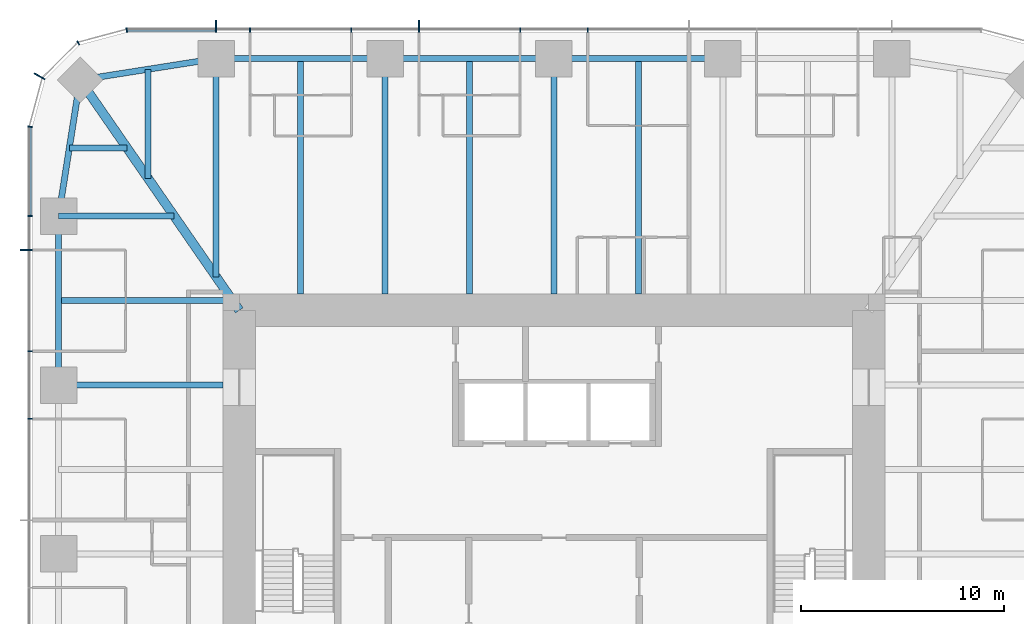
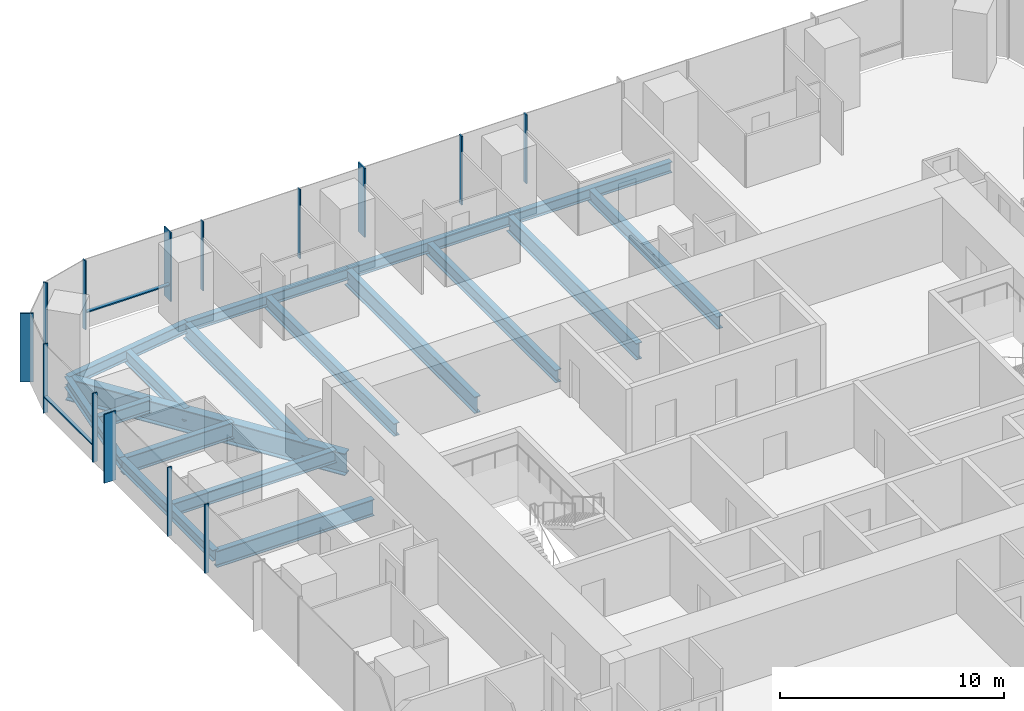
# One storey, part 5 of 13: 18 beams, 16 members, 3 elements without a shape of their own.
"""IFC4 building model written with IfcOpenShell, lengths in metres."""

import ifcopenshell
import ifcopenshell.guid

model = None  # the IFC model being written
_history = None  # IfcOwnerHistory: only IFC2X3 demands one
_inside = {}  # id of a spatial element -> (the spatial element, [elements in it])
_under = {}  # id of a project, library or spatial element -> (it, [spatial elements below it])
_declared = {}  # id of a project -> (the project, [libraries it declares])
_typed = {}  # id of a type object -> (the type object, [elements of that type])
_made_of = {}  # id of a material, layer set ... -> (it, [elements and type objects made of it])


def new_model(schema):
    """Start an empty IFC model of exactly this schema.

    Asked for "IFC4X3", IfcOpenShell would pick the latest addendum, in which some entities
    have other attributes; the version numbers below select the first issue.
    IFC2X3 requires an IfcOwnerHistory on every rooted entity: one is made here for all.
    """
    global model, _history
    if schema == "IFC4X3":
        model = ifcopenshell.file(schema_version=(4, 3, 0, 0))
    else:
        model = ifcopenshell.file(schema=schema)
    _inside.clear()
    _under.clear()
    _declared.clear()
    _typed.clear()
    _made_of.clear()
    _history = None
    if model.schema == "IFC2X3":
        org = make("IfcOrganization", Name="unknown")
        user = make(
            "IfcPersonAndOrganization",
            ThePerson=make("IfcPerson", FamilyName="unknown"),
            TheOrganization=org,
        )
        app = make(
            "IfcApplication",
            ApplicationDeveloper=org,
            Version="unknown",
            ApplicationFullName="unknown",
            ApplicationIdentifier="unknown",
        )
        _history = make(
            "IfcOwnerHistory",
            OwningUser=user,
            OwningApplication=app,
            ChangeAction="ADDED",
            CreationDate=0,
        )
    return model


def make(cls, **values):
    """One entity of the class cls with the attributes given. An attribute that is None is left unset."""
    return model.create_entity(
        cls, **{name: value for name, value in values.items() if value is not None}
    )


def rooted(cls, **values):
    """An entity with a GlobalId (a new one), such as an element, a storey or a relation."""
    return make(cls, GlobalId=ifcopenshell.guid.new(), OwnerHistory=_history, **values)


def si_unit(unit_type, name, prefix=None):
    """IfcSIUnit, for example si_unit("LENGTHUNIT", "METRE", prefix="MILLI")."""
    return make("IfcSIUnit", UnitType=unit_type, Prefix=prefix, Name=name)


def assignment(units):
    """IfcUnitAssignment: the units of a project."""
    return None if units is None else make("IfcUnitAssignment", Units=units)


def point(xyz):
    """IfcCartesianPoint."""
    return None if xyz is None else make("IfcCartesianPoint", Coordinates=xyz)


def direction(xyz):
    """IfcDirection."""
    return None if xyz is None else make("IfcDirection", DirectionRatios=xyz)


def frame(location, z_axis=None, x_axis=None):
    """IfcAxis2Placement3D, a coordinate frame: its origin and axes. An axis left out is left unset."""
    return make(
        "IfcAxis2Placement3D",
        Location=point(location),
        Axis=direction(z_axis),
        RefDirection=direction(x_axis),
    )


def frame_2d(location, x_axis=None):
    """IfcAxis2Placement2D, a coordinate frame in the plane: its origin and x axis."""
    return make(
        "IfcAxis2Placement2D", Location=point(location), RefDirection=direction(x_axis)
    )


def origin():
    """The frame at (0, 0, 0) with its axes left unset."""
    return frame((0.0, 0.0, 0.0))


def origin_2d():
    """The frame at (0, 0) in the plane with its x axis left unset."""
    return frame_2d((0.0, 0.0))


def place(relative_to, where):
    """IfcLocalPlacement: puts the frame where relative to a parent placement (None: the world)."""
    return make(
        "IfcLocalPlacement", PlacementRelTo=relative_to, RelativePlacement=where
    )


def context(
    kind, dimensions, precision=None, world=None, true_north=None, identifier=None
):
    """IfcGeometricRepresentationContext, for example the 3D "Model" context."""
    return make(
        "IfcGeometricRepresentationContext",
        ContextIdentifier=identifier,
        ContextType=kind,
        CoordinateSpaceDimension=dimensions,
        Precision=precision,
        WorldCoordinateSystem=world,
        TrueNorth=true_north,
    )


def subcontext(parent, identifier, kind, view, scale=None):
    """IfcGeometricRepresentationSubContext, for example "Body" below "Model"."""
    return make(
        "IfcGeometricRepresentationSubContext",
        ContextIdentifier=identifier,
        ContextType=kind,
        ParentContext=parent,
        TargetScale=scale,
        TargetView=view,
    )


def project(units=None, contexts=None):
    """IfcProject with its units and contexts."""
    return rooted(
        "IfcProject",
        Name="project",
        RepresentationContexts=contexts,
        UnitsInContext=assignment(units),
    )


def spatial(cls, under=None, at=None, **own):
    """A site, building, storey or space (cls), placed at a placement, below another one or the project."""
    s = rooted(cls, ObjectPlacement=at, **own)
    if under is not None:
        _under.setdefault(under.id(), (under, []))[1].append(s)
    return s


def profile(cls, at=None, kind="AREA", **sizes):
    """A parametric profile (cls). Its sizes go by their IFC names, for example OverallWidth=200.0."""
    return make(cls, ProfileType=kind, Position=at, **sizes)


def rectangle(**sizes):
    """IfcRectangleProfileDef."""
    return profile("IfcRectangleProfileDef", **sizes)


def i_section(**sizes):
    """IfcIShapeProfileDef."""
    return profile("IfcIShapeProfileDef", **sizes)


def extrude(swept, where, along, depth):
    """IfcExtrudedAreaSolid: the profile swept, set in the frame where, extruded along a direction by depth."""
    return make(
        "IfcExtrudedAreaSolid",
        SweptArea=swept,
        Position=where,
        ExtrudedDirection=direction(along),
        Depth=depth,
    )


def shape(context_of_items, identifier, shape_type, items):
    """IfcShapeRepresentation: the items that make up one representation, for example the "Body"."""
    return make(
        "IfcShapeRepresentation",
        ContextOfItems=context_of_items,
        RepresentationIdentifier=identifier,
        RepresentationType=shape_type,
        Items=items,
    )


def material(Name=None, Category=None):
    """IfcMaterial."""
    return make("IfcMaterial", Name=Name, Category=Category)


def material_profile(
    of_material, cross_section, Name=None, Category=None, Priority=None
):
    """IfcMaterialProfile: a cross section and its material."""
    return make(
        "IfcMaterialProfile",
        Name=Name,
        Material=of_material,
        Profile=cross_section,
        Priority=Priority,
        Category=Category,
    )


def profile_set(profiles, Name=None, composite=None):
    """IfcMaterialProfileSet."""
    return make(
        "IfcMaterialProfileSet",
        Name=Name,
        MaterialProfiles=profiles,
        CompositeProfile=composite,
    )


def made_of(thing, what):
    """Note that an element or type object is made of a material, layer set ...; save() writes the relation."""
    if what is not None:
        _made_of.setdefault(what.id(), (what, []))[1].append(thing)
    return thing


def type_object(cls, material=None, **own):
    """A type object (cls), such as IfcWallType, which elements share."""
    return made_of(rooted(cls, **own), material)


def element(
    cls,
    number,
    at=None,
    inside=None,
    cuts=None,
    type_object=None,
    material=None,
    context=None,
    identifier="Body",
    shape_type=None,
    held_by="IfcProductDefinitionShape",
    body=None,
    shapes=None,
    **own,
):
    """One element of the class cls, such as IfcWall. Its Tag is "e" and its number.

    at: its placement. inside: the storey or other place that contains it. cuts: it is an
    opening in that element (IfcRelVoidsElement). A single representation is given by context,
    identifier, shape_type and body (its items); several are given by shapes. held_by: the class
    of the entity that holds the representations. save() writes the other relations.
    """
    e = rooted(cls, Tag="e%d" % number, ObjectPlacement=at, **own)
    if body is not None:
        shapes = [shape(context, identifier, shape_type, body)]
    if shapes is not None:
        e.Representation = make(held_by, Representations=shapes)
    if inside is not None:
        _inside.setdefault(inside.id(), (inside, []))[1].append(e)
    if cuts is not None:
        rooted(
            "IfcRelVoidsElement", RelatingBuildingElement=cuts, RelatedOpeningElement=e
        )
    if type_object is not None:
        _typed.setdefault(type_object.id(), (type_object, []))[1].append(e)
    return made_of(e, material)


def aggregate(whole, parts):
    """IfcRelAggregates: a whole, such as a stair, and the parts it consists of."""
    return rooted("IfcRelAggregates", RelatingObject=whole, RelatedObjects=parts)


def save(model, path):
    """Write the relations noted so far, then the file.

    IfcRelAggregates (storeys below a building ...), IfcRelContainedInSpatialStructure (elements
    in a storey), IfcRelDefinesByType, IfcRelAssociatesMaterial and IfcRelDeclares: one each for
    every whole, place, type object, material and project.
    """
    for whole, parts in _under.values():
        aggregate(whole, parts)
    for where, things in _inside.values():
        rooted(
            "IfcRelContainedInSpatialStructure",
            RelatedElements=things,
            RelatingStructure=where,
        )
    for kind, things in _typed.values():
        rooted("IfcRelDefinesByType", RelatedObjects=things, RelatingType=kind)
    for what, things in _made_of.values():
        rooted("IfcRelAssociatesMaterial", RelatedObjects=things, RelatingMaterial=what)
    for by, libraries in _declared.values():
        rooted("IfcRelDeclares", RelatingContext=by, RelatedDefinitions=libraries)
    model.write(path)


model = new_model("IFC4")

# Units and contexts
model_context = context("Model", 3, precision=1e-05, world=origin(), true_north=direction((0.0, 1.0)))
body_context = subcontext(model_context, "Body", "Model", "MODEL_VIEW")
ifc_project = project(units=[si_unit("LENGTHUNIT", "METRE"), si_unit("AREAUNIT", "SQUARE_METRE"), si_unit("VOLUMEUNIT", "CUBIC_METRE"), si_unit("PLANEANGLEUNIT", "RADIAN"), si_unit("MASSUNIT", "GRAM", prefix="KILO")], contexts=[model_context])

# Site, building, storey
site_placement = place(None, origin())
site = spatial("IfcSite", under=ifc_project, at=site_placement, CompositionType="ELEMENT")
building_placement = place(site_placement, origin())
building = spatial("IfcBuilding", under=site, at=building_placement, Name="Khuree Lantern Residences", CompositionType="ELEMENT")
storey_placement = place(building_placement, frame((0.0, 0.0, 252.0)))
storey = spatial("IfcBuildingStorey", under=building, at=storey_placement, Name="L63", CompositionType="ELEMENT", Elevation=252.0)

# Beams
ifc_material_1 = material(Name="Steel S355", Category="steel")
ifc_material_profile_1 = material_profile(ifc_material_1, i_section(OverallWidth=0.300048828125, OverallDepth=0.68994140625, WebThickness=0.014404296875, FlangeThickness=0.027099609375, FilletRadius=0.027099609375, at=origin_2d()), Name="HE 700 A")
ifc_profile_set_1 = profile_set([ifc_material_profile_1], Name="Steel S355")
beam_type_1 = type_object("IfcBeamType", Name="B-34 SECONDARY BEAM HE 700 A", PredefinedType="BEAM", material=ifc_profile_set_1)
for number, where, z_axis, x_axis, name in (
    (1, (-12.47998046875, 24.39990234375, -0.594970703125), (0.0, -1.0, 0.0), (1.0, 0.0, 0.0), "Secondary beam N1"),
    (2, (-4.159912109375, 24.39990234375, -0.594970703125), (0.0, -1.0, 0.0), (1.0, 0.0, 0.0), "Secondary beam N2"),
    (3, (4.159912109375, 24.39990234375, -0.594970703125), (0.0, -1.0, 0.0), (1.0, 0.0, 0.0), "Secondary beam N3"),
):
    element("IfcBeam", number, at=place(storey_placement, frame(where, z_axis=z_axis, x_axis=x_axis)), inside=storey, type_object=beam_type_1, Name=name, PredefinedType="BEAM", context=body_context, shape_type="SweptSolid", body=[
        extrude(i_section(OverallWidth=0.300048828125, OverallDepth=0.68994140625, WebThickness=0.014404296875, FlangeThickness=0.027099609375, FilletRadius=0.027099609375, at=origin_2d()), origin(), (0.0, 0.0, 1.0), 11.599853515625),
    ])
beam_1_placement = place(storey_placement, frame((-24.39990234375, 12.47998046875, -0.594970703125), z_axis=(1.0, 0.0, 0.0), x_axis=(0.0, 1.0, 0.0)))
element("IfcBeam", 4, at=beam_1_placement, inside=storey, type_object=beam_type_1, Name="Secondary beam W5", PredefinedType="BEAM", context=body_context, shape_type="SweptSolid", body=[
    extrude(i_section(OverallWidth=0.300048828125, OverallDepth=0.68994140625, WebThickness=0.014404296875, FlangeThickness=0.027099609375, FilletRadius=0.027099609375, at=origin_2d()), origin(), (0.0, 0.0, 1.0), 8.56787109375),
])
beam_2_placement = place(storey_placement, frame((-23.872802734375, 19.992919921875, -0.594970703125), z_axis=(1.0, 0.0, 0.0), x_axis=(0.0, 1.0, 0.0)))
element("IfcBeam", 5, at=beam_2_placement, inside=storey, type_object=beam_type_1, Name="Secondary beam W6", PredefinedType="BEAM", context=body_context, shape_type="SweptSolid", body=[
    extrude(i_section(OverallWidth=0.300048828125, OverallDepth=0.68994140625, WebThickness=0.014404296875, FlangeThickness=0.027099609375, FilletRadius=0.027099609375, at=origin_2d()), origin(), (0.0, 0.0, 1.0), 2.845703125),
])
beam_3_placement = place(storey_placement, frame((-19.992919921875, 23.872802734375, -0.594970703125), z_axis=(0.0, -1.0, 0.0), x_axis=(1.0, 0.0, 0.0)))
element("IfcBeam", 6, at=beam_3_placement, inside=storey, type_object=beam_type_1, Name="Secondary beam N6", PredefinedType="BEAM", context=body_context, shape_type="SweptSolid", body=[
    extrude(i_section(OverallWidth=0.300048828125, OverallDepth=0.68994140625, WebThickness=0.014404296875, FlangeThickness=0.027099609375, FilletRadius=0.027099609375, at=origin_2d()), origin(), (0.0, 0.0, 1.0), 5.375732421875),
])
ifc_material_profile_2 = material_profile(ifc_material_1, i_section(OverallWidth=0.300048828125, OverallDepth=0.590087890625, WebThickness=0.012939453125, FlangeThickness=0.02490234375, FilletRadius=0.027099609375, at=origin_2d()), Name="HE 600 A")
ifc_profile_set_2 = profile_set([ifc_material_profile_2], Name="Steel S355")
beam_type_2 = type_object("IfcBeamType", Name="E-34 SPANDREL BEAM HE 600 A", PredefinedType="SPANDREL", material=ifc_profile_set_2)
beam_4_placement = place(storey_placement, frame((-16.639892578125, 24.39990234375, -0.544921875), z_axis=(1.0, 0.0, 0.0), x_axis=(0.0, 1.0, 0.0)))
element("IfcBeam", 7, at=beam_4_placement, inside=storey, type_object=beam_type_2, Name="Spandrel beam N1", PredefinedType="SPANDREL", context=body_context, shape_type="SweptSolid", body=[
    extrude(i_section(OverallWidth=0.300048828125, OverallDepth=0.590087890625, WebThickness=0.012939453125, FlangeThickness=0.02490234375, FilletRadius=0.027099609375, at=origin_2d()), origin(), (0.0, 0.0, 1.0), 8.31982421875),
])
for number, where, z_axis, x_axis, name in (
    (8, (-8.320068359375, 24.39990234375, -0.544921875), (1.0, 0.0, 0.0), (0.0, 1.0, 0.0), "Spandrel beam N2"),
    (9, (0.0, 24.39990234375, -0.544921875), (1.0, 0.0, 0.0), (0.0, 1.0, 0.0), "Spandrel beam N3"),
):
    element("IfcBeam", number, at=place(storey_placement, frame(where, z_axis=z_axis, x_axis=x_axis)), inside=storey, type_object=beam_type_2, Name=name, PredefinedType="SPANDREL", context=body_context, shape_type="SweptSolid", body=[
        extrude(i_section(OverallWidth=0.300048828125, OverallDepth=0.590087890625, WebThickness=0.012939453125, FlangeThickness=0.02490234375, FilletRadius=0.027099609375, at=origin_2d()), origin(), (0.0, 0.0, 1.0), 8.320068359375),
    ])
beam_5_placement = place(storey_placement, frame((-24.39990234375, 8.320068359375, -0.544921875), z_axis=(0.0, 1.0, 0.0), x_axis=(-1.0, 0.0, 0.0)))
element("IfcBeam", 10, at=beam_5_placement, inside=storey, type_object=beam_type_2, Name="Spandrel beam W5", PredefinedType="SPANDREL", context=body_context, shape_type="SweptSolid", body=[
    extrude(i_section(OverallWidth=0.300048828125, OverallDepth=0.590087890625, WebThickness=0.012939453125, FlangeThickness=0.02490234375, FilletRadius=0.027099609375, at=origin_2d()), origin(), (0.0, 0.0, 1.0), 8.31982421875),
])
for number, where, z_axis, x_axis, name in (
    (11, (-24.39990234375, 16.639892578125, -0.544921875), (0.155299507442, 0.98786743189, 0.0), (-0.98786743189, 0.155299507442, 0.0), "Spandrel beam W6"),
    (12, (-23.345703125, 23.345703125, -0.544921875), (0.98786743189, 0.155299507442, 0.0), (-0.155299507442, 0.98786743189, 0.0), "Spandrel beam N6"),
):
    element("IfcBeam", number, at=place(storey_placement, frame(where, z_axis=z_axis, x_axis=x_axis)), inside=storey, type_object=beam_type_2, Name=name, PredefinedType="SPANDREL", context=body_context, shape_type="SweptSolid", body=[
        extrude(i_section(OverallWidth=0.300048828125, OverallDepth=0.590087890625, WebThickness=0.012939453125, FlangeThickness=0.02490234375, FilletRadius=0.027099609375, at=origin_2d()), origin(), (0.0, 0.0, 1.0), 6.7880859375),
    ])

# Curtain wall, members
ifc_material_2 = material(Name="Bronze anodised aluminium", Category="aluminium")
curtain_wall_type_1 = type_object("IfcCurtainWallType", Name="CW-T1 TOWER FACE CURTAIN WALL", PredefinedType="USERDEFINED", material=ifc_material_2)
curtain_wall_1_placement = place(storey_placement, origin())
curtain_wall_1 = element("IfcCurtainWall", 13, at=curtain_wall_1_placement, inside=storey, type_object=curtain_wall_type_1, Name="L63 NORTH FACE CURTAIN WALL", ObjectType="Stick-built curtain wall", PredefinedType="USERDEFINED")
ifc_material_profile_3 = material_profile(ifc_material_2, rectangle(XDim=0.06494140625, YDim=0.60009765625, at=origin_2d()), Name="F1 65X600")
ifc_profile_set_3 = profile_set([ifc_material_profile_3], Name="Bronze anodised aluminium")
member_type_1 = type_object("IfcMemberType", Name="F1 BRONZE FIN MULLION TOWER 65X600", PredefinedType="MULLION", material=ifc_profile_set_3)
member_1_placement = place(storey_placement, frame((-6.656005859375, 26.0, 0.0), z_axis=(0.0, 0.0, 1.0), x_axis=(-1.0, 0.0, 0.0)))
member_1 = element("IfcMember", 14, at=member_1_placement, type_object=member_type_1, Name="L63 NORTH FACE FIN MULLION 25", PredefinedType="MULLION", context=body_context, shape_type="SweptSolid", body=[
    extrude(rectangle(XDim=0.06494140625, YDim=0.60009765625, at=origin_2d()), origin(), (0.0, 0.0, 1.0), 3.75),
])
member_2_placement = place(storey_placement, frame((-16.639892578125, 26.0, 0.0), z_axis=(0.0, 0.0, 1.0), x_axis=(-1.0, 0.0, 0.0)))
member_2 = element("IfcMember", 15, at=member_2_placement, type_object=member_type_1, Name="L63 NORTH FACE FIN MULLION 28", PredefinedType="MULLION", context=body_context, shape_type="SweptSolid", body=[
    extrude(rectangle(XDim=0.06494140625, YDim=0.60009765625, at=origin_2d()), origin(), (0.0, 0.0, 1.0), 3.75),
])

# Curtain wall, member
curtain_wall_type_2 = type_object("IfcCurtainWallType", Name="CW-T2 TOWER CORNER CURTAIN WALL", PredefinedType="USERDEFINED", material=ifc_material_2)
curtain_wall_2_placement = place(storey_placement, origin())
curtain_wall_2 = element("IfcCurtainWall", 16, at=curtain_wall_2_placement, inside=storey, type_object=curtain_wall_type_2, Name="L63 NORTH-WEST CORNER CURTAIN WALL", ObjectType="Faceted corner curtain wall", PredefinedType="USERDEFINED")
member_3_placement = place(storey_placement, frame((-25.3369140625, 23.52490234375, 0.0), z_axis=(0.0, 0.0, 1.0), x_axis=(-0.499999989586, -0.866025409797, 0.0)))
member_3 = element("IfcMember", 17, at=member_3_placement, type_object=member_type_1, Name="L63 NORTH-WEST CORNER FIN MULLION 31", PredefinedType="MULLION", context=body_context, shape_type="SweptSolid", body=[
    extrude(rectangle(XDim=0.06494140625, YDim=0.60009765625, at=origin_2d()), origin(), (0.0, 0.0, 1.0), 3.75),
])

curtain_wall_3_placement = place(storey_placement, origin())
curtain_wall_3 = element("IfcCurtainWall", 18, at=curtain_wall_3_placement, inside=storey, type_object=curtain_wall_type_1, Name="L63 WEST FACE CURTAIN WALL", ObjectType="Stick-built curtain wall", PredefinedType="USERDEFINED")
member_4_placement = place(storey_placement, frame((-26.0, 14.97607421875, 0.0), z_axis=(0.0, 0.0, 1.0), x_axis=(0.0, -1.0, 0.0)))
member_4 = element("IfcMember", 19, at=member_4_placement, type_object=member_type_1, Name="L63 WEST FACE FIN MULLION 34", PredefinedType="MULLION", context=body_context, shape_type="SweptSolid", body=[
    extrude(rectangle(XDim=0.06494140625, YDim=0.60009765625, at=origin_2d()), origin(), (0.0, 0.0, 1.0), 3.75),
])

# Beams
ifc_material_profile_4 = material_profile(ifc_material_1, i_section(OverallWidth=0.300048828125, OverallDepth=0.89990234375, WebThickness=0.0185546875, FlangeThickness=0.034912109375, FilletRadius=0.030029296875, at=origin_2d()), Name="HE 900 B")
ifc_profile_set_4 = profile_set([ifc_material_profile_4], Name="Steel S355")
beam_type_3 = type_object("IfcBeamType", Name="G-34 GIRDER HE 900 B", PredefinedType="BEAM", material=ifc_profile_set_4)
beam_6_placement = place(storey_placement, frame((-16.639892578125, 24.39990234375, -0.699951171875), z_axis=(0.0, -1.0, 0.0), x_axis=(1.0, 0.0, 0.0)))
element("IfcBeam", 20, at=beam_6_placement, inside=storey, type_object=beam_type_3, Name="Girder N1", PredefinedType="BEAM", context=body_context, shape_type="SweptSolid", body=[
    extrude(i_section(OverallWidth=0.300048828125, OverallDepth=0.89990234375, WebThickness=0.0185546875, FlangeThickness=0.034912109375, FilletRadius=0.030029296875, at=origin_2d()), origin(), (0.0, 0.0, 1.0), 10.751220703125),
])
for number, where, z_axis, x_axis, name in (
    (21, (-8.320068359375, 24.39990234375, -0.699951171875), (0.0, -1.0, 0.0), (1.0, 0.0, 0.0), "Girder N2"),
    (22, (0.0, 24.39990234375, -0.699951171875), (0.0, -1.0, 0.0), (1.0, 0.0, 0.0), "Girder N3"),
):
    element("IfcBeam", number, at=place(storey_placement, frame(where, z_axis=z_axis, x_axis=x_axis)), inside=storey, type_object=beam_type_3, Name=name, PredefinedType="BEAM", context=body_context, shape_type="SweptSolid", body=[
        extrude(i_section(OverallWidth=0.300048828125, OverallDepth=0.89990234375, WebThickness=0.0185546875, FlangeThickness=0.034912109375, FilletRadius=0.030029296875, at=origin_2d()), origin(), (0.0, 0.0, 1.0), 11.599853515625),
    ])
beam_7_placement = place(storey_placement, frame((-24.39990234375, 8.320068359375, -0.699951171875), z_axis=(1.0, 0.0, 0.0), x_axis=(0.0, 1.0, 0.0)))
element("IfcBeam", 23, at=beam_7_placement, inside=storey, type_object=beam_type_3, Name="Girder W4", PredefinedType="BEAM", context=body_context, shape_type="SweptSolid", body=[
    extrude(i_section(OverallWidth=0.300048828125, OverallDepth=0.89990234375, WebThickness=0.0185546875, FlangeThickness=0.034912109375, FilletRadius=0.030029296875, at=origin_2d()), origin(), (0.0, 0.0, 1.0), 8.099853515625),
])
beam_8_placement = place(storey_placement, frame((-24.39990234375, 16.639892578125, -0.699951171875), z_axis=(1.0, 0.0, 0.0), x_axis=(0.0, 1.0, 0.0)))
element("IfcBeam", 24, at=beam_8_placement, inside=storey, type_object=beam_type_3, Name="Girder W5", PredefinedType="BEAM", context=body_context, shape_type="SweptSolid", body=[
    extrude(i_section(OverallWidth=0.300048828125, OverallDepth=0.89990234375, WebThickness=0.0185546875, FlangeThickness=0.034912109375, FilletRadius=0.030029296875, at=origin_2d()), origin(), (0.0, 0.0, 1.0), 5.69140625),
])
ifc_material_profile_5 = material_profile(ifc_material_1, i_section(OverallWidth=0.449951171875, OverallDepth=1.199951171875, WebThickness=0.02490234375, FlangeThickness=0.044921875, at=origin_2d()), Name="WELDED I 1200X450X25X45")
ifc_profile_set_5 = profile_set([ifc_material_profile_5], Name="Steel S355")
beam_type_4 = type_object("IfcBeamType", Name="GD-34 CORNER GIRDER WELDED I 1200X450X25X45", PredefinedType="BEAM", material=ifc_profile_set_5)
beam_9_placement = place(storey_placement, frame((-23.345703125, 23.345703125, -0.85009765625), z_axis=(0.56876813501, -0.822497907959, 0.0), x_axis=(0.822497907959, 0.56876813501, 0.0)))
element("IfcBeam", 25, at=beam_9_placement, inside=storey, type_object=beam_type_4, Name="Corner girder NW", PredefinedType="BEAM", context=body_context, shape_type="SweptSolid", body=[
    extrude(i_section(OverallWidth=0.449951171875, OverallDepth=1.199951171875, WebThickness=0.02490234375, FlangeThickness=0.044921875, at=origin_2d()), origin(), (0.0, 0.0, 1.0), 13.794189453125),
])

# Member
ifc_material_profile_6 = material_profile(ifc_material_2, rectangle(XDim=0.06494140625, YDim=0.219970703125, at=origin_2d()), Name="M1 65X220")
ifc_profile_set_6 = profile_set([ifc_material_profile_6], Name="Bronze anodised aluminium")
member_type_2 = type_object("IfcMemberType", Name="M1 BRONZE MULLION TOWER 65X220", PredefinedType="MULLION", material=ifc_profile_set_6)
member_5_placement = place(storey_placement, frame((1.6640625, 25.81005859375, 0.0), z_axis=(0.0, 0.0, 1.0), x_axis=(-1.0, 0.0, 0.0)))
member_5 = element("IfcMember", 26, at=member_5_placement, type_object=member_type_2, Name="L63 NORTH FACE MULLION 23", PredefinedType="MULLION", context=body_context, shape_type="SweptSolid", body=[
    extrude(rectangle(XDim=0.06494140625, YDim=0.219970703125, at=origin_2d()), origin(), (0.0, 0.0, 1.0), 3.75),
])

member_6_placement = place(storey_placement, frame((-1.6640625, 25.81005859375, 0.0), z_axis=(0.0, 0.0, 1.0), x_axis=(-1.0, 0.0, 0.0)))
member_6 = element("IfcMember", 27, at=member_6_placement, type_object=member_type_2, Name="L63 NORTH FACE MULLION 24", PredefinedType="MULLION", context=body_context, shape_type="SweptSolid", body=[
    extrude(rectangle(XDim=0.06494140625, YDim=0.219970703125, at=origin_2d()), origin(), (0.0, 0.0, 1.0), 3.75),
])

member_7_placement = place(storey_placement, frame((-9.98388671875, 25.81005859375, 0.0), z_axis=(0.0, 0.0, 1.0), x_axis=(-1.0, 0.0, 0.0)))
member_7 = element("IfcMember", 28, at=member_7_placement, type_object=member_type_2, Name="L63 NORTH FACE MULLION 26", PredefinedType="MULLION", context=body_context, shape_type="SweptSolid", body=[
    extrude(rectangle(XDim=0.06494140625, YDim=0.219970703125, at=origin_2d()), origin(), (0.0, 0.0, 1.0), 3.75),
])

member_8_placement = place(storey_placement, frame((-14.97607421875, 25.81005859375, 0.0), z_axis=(0.0, 0.0, 1.0), x_axis=(-1.0, 0.0, 0.0)))
member_8 = element("IfcMember", 29, at=member_8_placement, type_object=member_type_2, Name="L63 NORTH FACE MULLION 27", PredefinedType="MULLION", context=body_context, shape_type="SweptSolid", body=[
    extrude(rectangle(XDim=0.06494140625, YDim=0.219970703125, at=origin_2d()), origin(), (0.0, 0.0, 1.0), 3.75),
])

member_9_placement = place(storey_placement, frame((-21.044921875, 25.811767578125, 0.0), z_axis=(0.0, 0.0, 1.0), x_axis=(-0.991444862943, -0.130526180298, 0.0)))
member_9 = element("IfcMember", 30, at=member_9_placement, type_object=member_type_2, Name="L63 NORTH-WEST CORNER MULLION 29", PredefinedType="MULLION", context=body_context, shape_type="SweptSolid", body=[
    extrude(rectangle(XDim=0.06494140625, YDim=0.219970703125, at=origin_2d()), origin(), (0.0, 0.0, 1.0), 3.75),
])

member_10_placement = place(storey_placement, frame((-23.429931640625, 25.17236328125, 0.0), z_axis=(0.0, 0.0, 1.0), x_axis=(-0.866025409797, -0.499999989586, 0.0)))
member_10 = element("IfcMember", 31, at=member_10_placement, type_object=member_type_2, Name="L63 NORTH-WEST CORNER MULLION 30", PredefinedType="MULLION", context=body_context, shape_type="SweptSolid", body=[
    extrude(rectangle(XDim=0.06494140625, YDim=0.219970703125, at=origin_2d()), origin(), (0.0, 0.0, 1.0), 3.75),
])

aggregate(curtain_wall_2, [member_9, member_10, member_3])

member_11_placement = place(storey_placement, frame((-25.811767578125, 21.044921875, 0.0), z_axis=(0.0, 0.0, 1.0), x_axis=(-0.130526180298, -0.991444862943, 0.0)))
member_11 = element("IfcMember", 32, at=member_11_placement, type_object=member_type_2, Name="L63 WEST FACE MULLION 32", PredefinedType="MULLION", context=body_context, shape_type="SweptSolid", body=[
    extrude(rectangle(XDim=0.06494140625, YDim=0.219970703125, at=origin_2d()), origin(), (0.0, 0.0, 1.0), 3.75),
])

member_12_placement = place(storey_placement, frame((-25.81005859375, 16.639892578125, 0.0), z_axis=(0.0, 0.0, 1.0), x_axis=(0.0, -1.0, 0.0)))
member_12 = element("IfcMember", 33, at=member_12_placement, type_object=member_type_2, Name="L63 WEST FACE MULLION 33", PredefinedType="MULLION", context=body_context, shape_type="SweptSolid", body=[
    extrude(rectangle(XDim=0.06494140625, YDim=0.219970703125, at=origin_2d()), origin(), (0.0, 0.0, 1.0), 3.75),
])

member_13_placement = place(storey_placement, frame((-25.81005859375, 9.98388671875, 0.0), z_axis=(0.0, 0.0, 1.0), x_axis=(0.0, -1.0, 0.0)))
member_13 = element("IfcMember", 34, at=member_13_placement, type_object=member_type_2, Name="L63 WEST FACE MULLION 35", PredefinedType="MULLION", context=body_context, shape_type="SweptSolid", body=[
    extrude(rectangle(XDim=0.06494140625, YDim=0.219970703125, at=origin_2d()), origin(), (0.0, 0.0, 1.0), 3.75),
])

member_14_placement = place(storey_placement, frame((-25.81005859375, 6.656005859375, 0.0), z_axis=(0.0, 0.0, 1.0), x_axis=(0.0, -1.0, 0.0)))
member_14 = element("IfcMember", 35, at=member_14_placement, type_object=member_type_2, Name="L63 WEST FACE MULLION 36", PredefinedType="MULLION", context=body_context, shape_type="SweptSolid", body=[
    extrude(rectangle(XDim=0.06494140625, YDim=0.219970703125, at=origin_2d()), origin(), (0.0, 0.0, 1.0), 3.75),
])

ifc_material_profile_7 = material_profile(ifc_material_2, rectangle(XDim=0.179931640625, YDim=0.06494140625, at=origin_2d()), Name="T1 180X65")
ifc_profile_set_7 = profile_set([ifc_material_profile_7], Name="Bronze anodised aluminium")
member_type_3 = type_object("IfcMemberType", Name="TRANSOM T1 TOWER 180X65", PredefinedType="USERDEFINED", material=ifc_profile_set_7)
member_15_placement = place(storey_placement, frame((-16.672607421875, 25.820068359375, 0.89990234375), z_axis=(-1.0, 0.0, 0.0), x_axis=(0.0, -1.0, 0.0)))
member_15 = element("IfcMember", 36, at=member_15_placement, type_object=member_type_3, Name="L63 NORTH FACE TRANSOM 28.1", ObjectType="Transom", PredefinedType="USERDEFINED", context=body_context, shape_type="SweptSolid", body=[
    extrude(rectangle(XDim=0.179931640625, YDim=0.06494140625, at=origin_2d()), origin(), (0.0, 0.0, 1.0), 4.328857421875),
])

aggregate(curtain_wall_1, [member_5, member_6, member_1, member_7, member_8, member_2, member_15])

member_16_placement = place(storey_placement, frame((-25.820068359375, 21.00146484375, 0.89990234375), z_axis=(0.0, -1.0, 0.0), x_axis=(1.0, 0.0, 0.0)))
member_16 = element("IfcMember", 37, at=member_16_placement, type_object=member_type_3, Name="L63 WEST FACE TRANSOM 32.1", ObjectType="Transom", PredefinedType="USERDEFINED", context=body_context, shape_type="SweptSolid", body=[
    extrude(rectangle(XDim=0.179931640625, YDim=0.06494140625, at=origin_2d()), origin(), (0.0, 0.0, 1.0), 4.328857421875),
])

aggregate(curtain_wall_3, [member_11, member_12, member_4, member_13, member_14, member_16])

save(model, "model.ifc")
